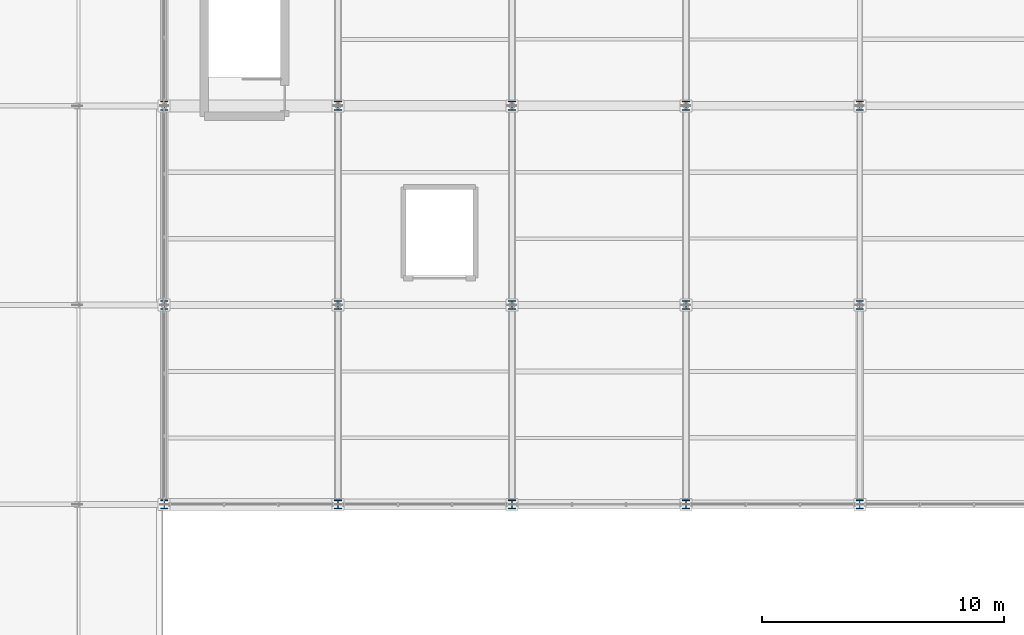
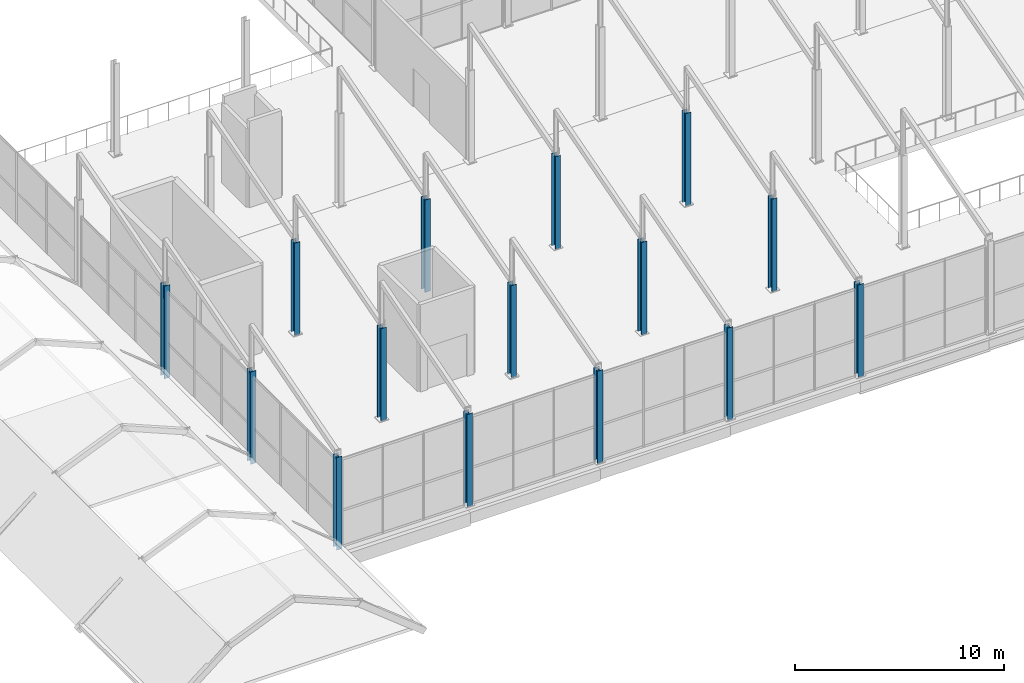
# One storey, part 2 of 141: 15 columns.
"""IFC4 building model written with IfcOpenShell, lengths in metres."""

from ifc_helpers import new_model, si_unit, direction, frame, origin, origin_2d, place, context, subcontext, project, spatial, i_section, extrude, material, material_profile, profile_set, type_object, element, save


model = new_model("IFC4")

# Units and contexts
model_context = context("Model", 3, precision=1e-05, world=origin(), true_north=direction((0.0, 1.0)))
body_context = subcontext(model_context, "Body", "Model", "MODEL_VIEW")
ifc_project = project(units=[si_unit("LENGTHUNIT", "METRE"), si_unit("AREAUNIT", "SQUARE_METRE"), si_unit("VOLUMEUNIT", "CUBIC_METRE"), si_unit("PLANEANGLEUNIT", "RADIAN"), si_unit("MASSUNIT", "GRAM", prefix="KILO")], contexts=[model_context])

# Site, building, storey
site_placement = place(None, origin())
site = spatial("IfcSite", under=ifc_project, at=site_placement, CompositionType="ELEMENT")
building_placement = place(site_placement, origin())
building = spatial("IfcBuilding", under=site, at=building_placement, Name="Sundgate Opera House", CompositionType="ELEMENT")
storey_placement = place(building_placement, frame((0.0, 0.0, 11.39990234375)))
storey = spatial("IfcBuildingStorey", under=building, at=storey_placement, Name="L02", CompositionType="ELEMENT", Elevation=11.39990234375)

# Columns
ifc_material = material(Name="Steel S355J2", Category="steel")
ifc_material_profile = material_profile(ifc_material, i_section(OverallWidth=0.300048828125, OverallDepth=0.360107421875, WebThickness=0.012451171875, FlangeThickness=0.0224609375, at=origin_2d()), Name="HEB 360")
ifc_profile_set = profile_set([ifc_material_profile], Name="Steel S355J2")
column_type = type_object("IfcColumnType", Name="CL-STL-360", PredefinedType="COLUMN", material=ifc_profile_set)
for number, where, z_axis, x_axis, name in (
    (1, (95.39990234375, 8.25, 0.0), (0.0, 0.0, 1.0), (1.0, 0.0, 0.0), "L02 Column C0631"),
    (2, (95.39990234375, 16.5, 0.0), (0.0, 0.0, 1.0), (1.0, 0.0, 0.0), "L02 Column C0635"),
    (3, (95.39990234375, 24.75, 0.0), (0.0, 0.0, 1.0), (1.0, 0.0, 0.0), "L02 Column C0639"),
    (4, (102.60009765625, 8.25, 0.0), (0.0, 0.0, 1.0), (1.0, 0.0, 0.0), "L02 Column C0698"),
    (5, (102.60009765625, 16.5, 0.0), (0.0, 0.0, 1.0), (1.0, 0.0, 0.0), "L02 Column C0702"),
    (6, (102.60009765625, 24.75, 0.0), (0.0, 0.0, 1.0), (1.0, 0.0, 0.0), "L02 Column C0706"),
    (7, (109.800048828125, 8.25, 0.0), (0.0, 0.0, 1.0), (1.0, 0.0, 0.0), "L02 Column C0762"),
    (8, (109.800048828125, 16.5, 0.0), (0.0, 0.0, 1.0), (1.0, 0.0, 0.0), "L02 Column C0766"),
    (9, (109.800048828125, 24.75, 0.0), (0.0, 0.0, 1.0), (1.0, 0.0, 0.0), "L02 Column C0770"),
    (10, (117.0, 8.25, 0.0), (0.0, 0.0, 1.0), (1.0, 0.0, 0.0), "L02 Column C0823"),
    (11, (117.0, 16.5, 0.0), (0.0, 0.0, 1.0), (1.0, 0.0, 0.0), "L02 Column C0827"),
    (12, (117.0, 24.75, 0.0), (0.0, 0.0, 1.0), (1.0, 0.0, 0.0), "L02 Column C0831"),
    (13, (124.199951171875, 8.25, 0.0), (0.0, 0.0, 1.0), (1.0, 0.0, 0.0), "L02 Column C0887"),
    (14, (124.199951171875, 16.5, 0.0), (0.0, 0.0, 1.0), (1.0, 0.0, 0.0), "L02 Column C0891"),
    (15, (124.199951171875, 24.75, 0.0), (0.0, 0.0, 1.0), (1.0, 0.0, 0.0), "L02 Column C0895"),
):
    element("IfcColumn", number, at=place(storey_placement, frame(where, z_axis=z_axis, x_axis=x_axis)), inside=storey, type_object=column_type, Name=name, PredefinedType="COLUMN", context=body_context, shape_type="SweptSolid", body=[
        extrude(i_section(OverallWidth=0.300048828125, OverallDepth=0.360107421875, WebThickness=0.012451171875, FlangeThickness=0.0224609375, at=origin_2d()), origin(), (0.0, 0.0, 1.0), 5.400146484375),
    ])

save(model, "model.ifc")
